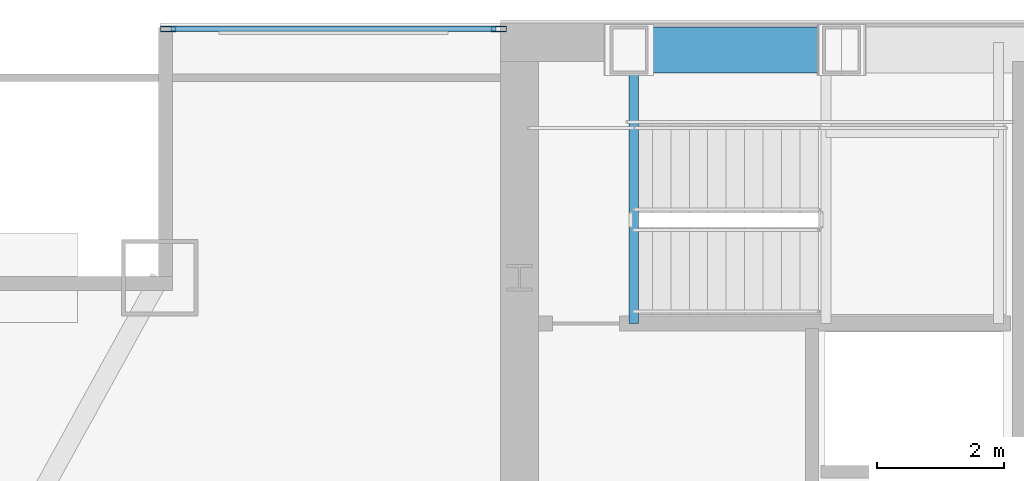
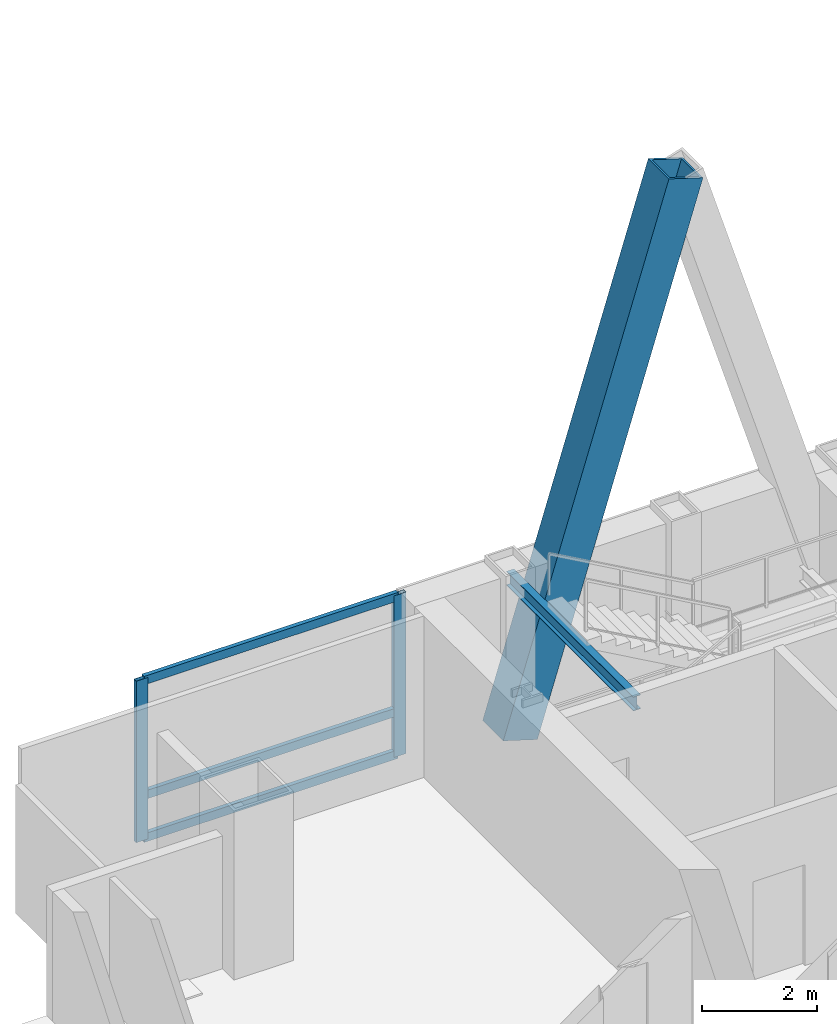
# One storey, part 22 of 32: 6 members, 1 beam, 1 element without a shape of its own.
"""IFC4 building model written with IfcOpenShell, lengths in metres."""

from ifc_helpers import new_model, si_unit, direction, frame, origin, origin_2d, place, context, subcontext, project, spatial, hollow_rectangle, i_section, extrude, material, material_profile, profile_set, type_object, element, aggregate, save


model = new_model("IFC4")

# Units and contexts
model_context = context("Model", 3, precision=1e-05, world=origin(), true_north=direction((0.0, 1.0)))
body_context = subcontext(model_context, "Body", "Model", "MODEL_VIEW")
ifc_project = project(units=[si_unit("LENGTHUNIT", "METRE"), si_unit("AREAUNIT", "SQUARE_METRE"), si_unit("VOLUMEUNIT", "CUBIC_METRE"), si_unit("PLANEANGLEUNIT", "RADIAN"), si_unit("MASSUNIT", "GRAM", prefix="KILO")], contexts=[model_context])

# Site, building, storey
site_placement = place(None, origin())
site = spatial("IfcSite", under=ifc_project, at=site_placement, CompositionType="ELEMENT")
building_placement = place(site_placement, origin())
building = spatial("IfcBuilding", under=site, at=building_placement, Name="Khoronbel Lancet Exchange", CompositionType="ELEMENT")
storey_placement = place(building_placement, frame((0.0, 0.0, 188.60009765625)))
storey = spatial("IfcBuildingStorey", under=building, at=storey_placement, Name="L47", CompositionType="ELEMENT", Elevation=188.60009765625)

# Beam
ifc_material_1 = material(Name="Steel S355", Category="steel")
ifc_material_profile_1 = material_profile(ifc_material_1, i_section(OverallWidth=0.14990234375, OverallDepth=0.300048828125, WebThickness=0.007080078125, FlangeThickness=0.0107421875, at=origin_2d()), Name="IPE 300")
ifc_profile_set_1 = profile_set([ifc_material_profile_1], Name="Steel S355")
beam_type = type_object("IfcBeamType", Name="BM-BJ8", PredefinedType="JOIST", material=ifc_profile_set_1)
beam_placement = place(storey_placement, frame((18.300048828125, 48.97998046875, 3.159912109375), z_axis=(0.0, 1.0, 0.0), x_axis=(-1.0, 0.0, 0.0)))
element("IfcBeam", 1, at=beam_placement, inside=storey, type_object=beam_type, Name="Level L47 stair ST1 upper-flight arrival trimmer beam", PredefinedType="JOIST", context=body_context, shape_type="SweptSolid", body=[
    extrude(i_section(OverallWidth=0.14990234375, OverallDepth=0.300048828125, WebThickness=0.007080078125, FlangeThickness=0.0107421875, at=origin_2d()), origin(), (0.0, 0.0, 1.0), 4.419921875),
])

# Curtain wall, members
ifc_material_2 = material(Name="Low-E Solar Control Insulating Glass", Category="glass")
curtain_wall_type = type_object("IfcCurtainWallType", Name="CW-3", PredefinedType="NOTDEFINED", material=ifc_material_2)
curtain_wall_placement = place(storey_placement, origin())
curtain_wall = element("IfcCurtainWall", 2, at=curtain_wall_placement, inside=storey, type_object=curtain_wall_type, Name="Unitised curtain wall CW-L47-NWFLK", PredefinedType="NOTDEFINED")
ifc_material_3 = material(Name="Bronze-Anodised Aluminium 6063-T6", Category="aluminium")
ifc_material_profile_2 = material_profile(ifc_material_3, hollow_rectangle(XDim=0.0849609375, YDim=0.239990234375, WallThickness=0.006103515625, at=origin_2d()), Name="ALU MULLION 85x240")
ifc_profile_set_2 = profile_set([ifc_material_profile_2], Name="Bronze-Anodised Aluminium 6063-T6")
member_type_1 = type_object("IfcMemberType", Name="MEM-CWM1", PredefinedType="MULLION", material=ifc_profile_set_2)
member_1_placement = place(storey_placement, frame((16.177490234375, 53.610107421875, 0.0), z_axis=(0.0, 0.0, 1.0), x_axis=(0.0, -1.0, 0.0)))
member_1 = element("IfcMember", 3, at=member_1_placement, type_object=member_type_1, Name="CW3 mullion 1", PredefinedType="MULLION", context=body_context, shape_type="SweptSolid", body=[
    extrude(hollow_rectangle(XDim=0.0849609375, YDim=0.239990234375, WallThickness=0.006103515625, at=origin_2d()), origin(), (0.0, 0.0, 1.0), 3.43994140625),
])
member_2_placement = place(storey_placement, frame((10.982421875, 53.610107421875, 0.0), z_axis=(0.0, 0.0, 1.0), x_axis=(0.0, -1.0, 0.0)))
member_2 = element("IfcMember", 4, at=member_2_placement, type_object=member_type_1, Name="CW3 mullion 2", PredefinedType="MULLION", context=body_context, shape_type="SweptSolid", body=[
    extrude(hollow_rectangle(XDim=0.0849609375, YDim=0.239990234375, WallThickness=0.006103515625, at=origin_2d()), origin(), (0.0, 0.0, 1.0), 3.43994140625),
])
ifc_material_profile_3 = material_profile(ifc_material_3, hollow_rectangle(XDim=0.0849609375, YDim=0.179931640625, WallThickness=0.0048828125, at=origin_2d()), Name="ALU TRANSOM 85x180")
ifc_profile_set_3 = profile_set([ifc_material_profile_3], Name="Bronze-Anodised Aluminium 6063-T6")
member_type_2 = type_object("IfcMemberType", Name="MEM-CWT1", PredefinedType="USERDEFINED", material=ifc_profile_set_3)
member_3_placement = place(storey_placement, frame((16.135009765625, 53.610107421875, 0.04248046875), z_axis=(-1.0, 0.0, 0.0), x_axis=(0.0, -1.0, 0.0)))
member_3 = element("IfcMember", 5, at=member_3_placement, type_object=member_type_2, Name="CW3 transom 1.1", ObjectType="TRANSOM", PredefinedType="USERDEFINED", context=body_context, shape_type="SweptSolid", body=[
    extrude(hollow_rectangle(XDim=0.0849609375, YDim=0.179931640625, WallThickness=0.0048828125, at=origin_2d()), origin(), (0.0, 0.0, 1.0), 5.110107421875),
])
member_4_placement = place(storey_placement, frame((16.135009765625, 53.610107421875, 0.949951171875), z_axis=(-1.0, 0.0, 0.0), x_axis=(0.0, -1.0, 0.0)))
member_4 = element("IfcMember", 6, at=member_4_placement, type_object=member_type_2, Name="CW3 transom 1.2", ObjectType="TRANSOM", PredefinedType="USERDEFINED", context=body_context, shape_type="SweptSolid", body=[
    extrude(hollow_rectangle(XDim=0.0849609375, YDim=0.179931640625, WallThickness=0.0048828125, at=origin_2d()), origin(), (0.0, 0.0, 1.0), 5.110107421875),
])
member_5_placement = place(storey_placement, frame((16.135009765625, 53.610107421875, 3.3974609375), z_axis=(-1.0, 0.0, 0.0), x_axis=(0.0, -1.0, 0.0)))
member_5 = element("IfcMember", 7, at=member_5_placement, type_object=member_type_2, Name="CW3 transom 1.3", ObjectType="TRANSOM", PredefinedType="USERDEFINED", context=body_context, shape_type="SweptSolid", body=[
    extrude(hollow_rectangle(XDim=0.0849609375, YDim=0.179931640625, WallThickness=0.0048828125, at=origin_2d()), origin(), (0.0, 0.0, 1.0), 5.110107421875),
])
aggregate(curtain_wall, [member_1, member_2, member_3, member_4, member_5])

# Member
ifc_material_4 = material(Name="Steel S460", Category="steel")
ifc_material_profile_4 = material_profile(ifc_material_4, hollow_rectangle(XDim=0.719970703125, YDim=0.719970703125, WallThickness=0.050048828125, at=origin_2d()), Name="BOX 720x720x50")
ifc_profile_set_4 = profile_set([ifc_material_profile_4], Name="Steel S460")
member_type_3 = type_object("IfcMemberType", Name="MEM-MB2", PredefinedType="BRACE", material=ifc_profile_set_4)
member_6_placement = place(storey_placement, frame((18.22509765625, 53.280029296875, 0.0), z_axis=(0.295248201357, 0.0, 0.955420587802), x_axis=(0.0, 1.0, 0.0)))
element("IfcMember", 8, at=member_6_placement, inside=storey, type_object=member_type_3, Name="Perimeter lancet brace tier 16 N-W-L", PredefinedType="BRACE", context=body_context, shape_type="SweptSolid", body=[
    extrude(hollow_rectangle(XDim=0.719970703125, YDim=0.719970703125, WallThickness=0.050048828125, at=origin_2d()), origin(), (0.0, 0.0, 1.0), 11.3037109375),
])

save(model, "model.ifc")
